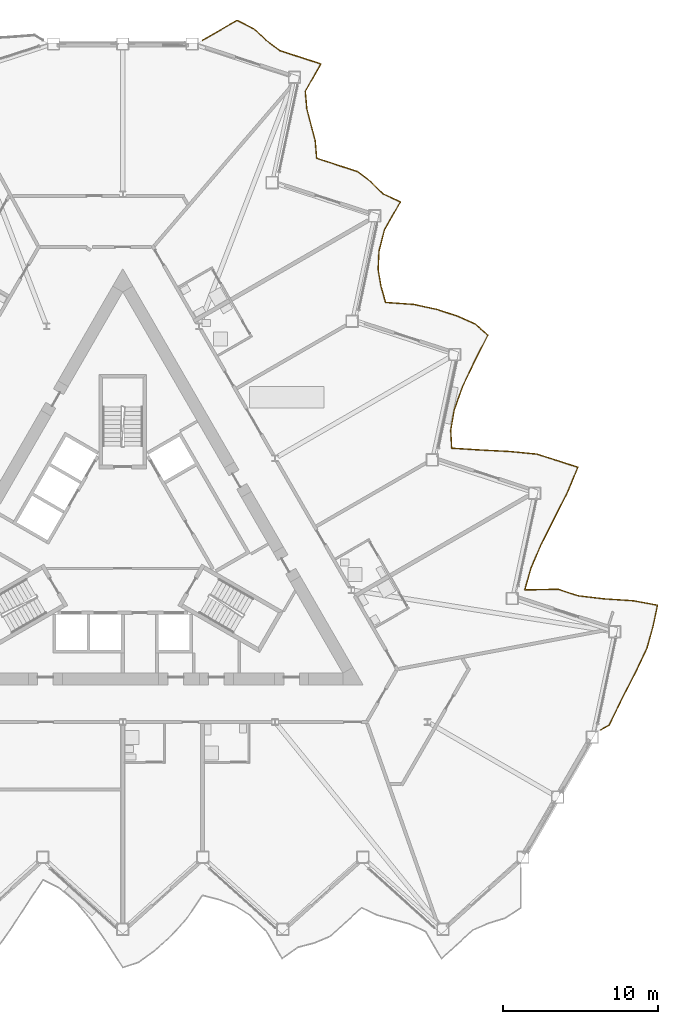
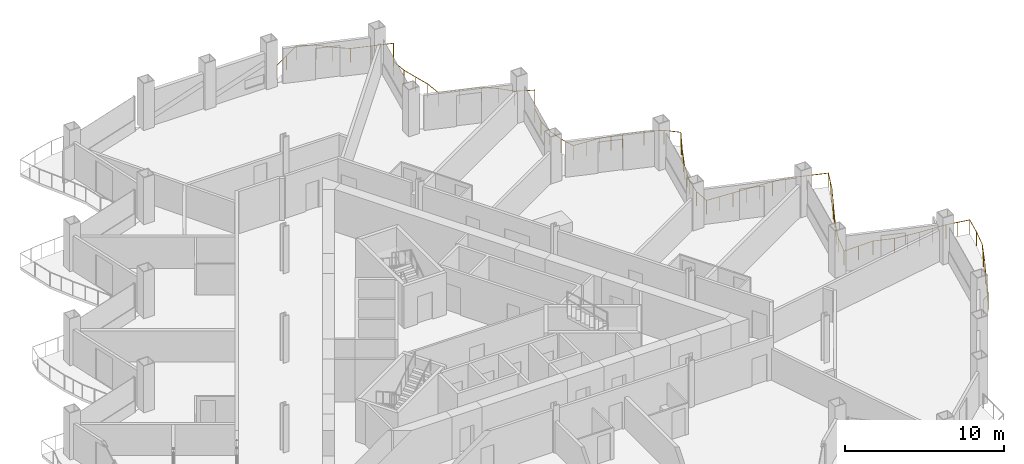
# One storey, part 20 of 22: 1 railing.
"""IFC4 building model written with IfcOpenShell, lengths in metres."""

from ifc_helpers import new_model, si_unit, direction, frame, origin, origin_2d, place, context, subcontext, project, spatial, circle, extrude, material, type_object, element, save


model = new_model("IFC4")

# Units and contexts
model_context = context("Model", 3, precision=1e-05, world=origin(), true_north=direction((0.0, 1.0)))
body_context = subcontext(model_context, "Body", "Model", "MODEL_VIEW")
ifc_project = project(units=[si_unit("LENGTHUNIT", "METRE"), si_unit("AREAUNIT", "SQUARE_METRE"), si_unit("VOLUMEUNIT", "CUBIC_METRE"), si_unit("PLANEANGLEUNIT", "RADIAN"), si_unit("MASSUNIT", "GRAM", prefix="KILO")], contexts=[model_context])

# Site, building, storey
site_placement = place(None, origin())
site = spatial("IfcSite", under=ifc_project, at=site_placement, CompositionType="ELEMENT")
building_placement = place(site_placement, origin())
building = spatial("IfcBuilding", under=site, at=building_placement, Name="Cormorant Prow Tower", CompositionType="ELEMENT")
storey_placement = place(building_placement, frame((0.0, 0.0, 194.39990234375)))
storey = spatial("IfcBuildingStorey", under=building, at=storey_placement, Name="L42", CompositionType="ELEMENT", Elevation=194.39990234375)

# Railing
ifc_material = material(Name="Aluminium 6063-T6", Category="aluminium")
railing_type = type_object("IfcRailingType", Name="Balcony guard 1100", PredefinedType="GUARDRAIL", material=ifc_material)
railing_placement = place(storey_placement, frame((30.84130859375, -11.861083984375, 0.0)))
element("IfcRailing", 1, at=railing_placement, inside=storey, type_object=railing_type, Name="Balcony guard ENE", PredefinedType="GUARDRAIL", context=body_context, shape_type="SweptSolid", body=[
    extrude(circle(Radius=0.02392578125, at=origin_2d()), frame((0.0, 0.0, 1.076171875), z_axis=(0.866038622153, 0.499977104415, 0.0), x_axis=(-0.499977104415, 0.866038622153, 0.0)), (0.0, 0.0, 1.0), 0.63623046875),
    extrude(circle(Radius=0.02392578125, at=origin_2d()), frame((0.551025390625, 0.318115234375, 1.076171875), z_axis=(0.434386355726, 0.900726647746, 0.0), x_axis=(-0.900726647746, 0.434386355726, 0.0)), (0.0, 0.0, 1.0), 1.826171875),
    extrude(circle(Radius=0.02392578125, at=origin_2d()), frame((1.34423828125, 1.962890625, 1.076171875), z_axis=(0.457321852197, 0.889301255764, 0.0), x_axis=(-0.889301255764, 0.457321852197, 0.0)), (0.0, 0.0, 1.0), 1.89794921875),
    extrude(circle(Radius=0.02392578125, at=origin_2d()), frame((2.212158203125, 3.650634765625, 1.076171875), z_axis=(0.428712717597, 0.903440870102, 0.0), x_axis=(-0.903440870102, 0.428712717597, 0.0)), (0.0, 0.0, 1.0), 1.809326171875),
    extrude(circle(Radius=0.02392578125, at=origin_2d()), frame((2.98779296875, 5.28515625, 1.076171875), z_axis=(0.265319371421, 0.964160583694, 0.0), x_axis=(-0.964160583694, 0.265319371421, 0.0)), (0.0, 0.0, 1.0), 1.463134765625),
    extrude(circle(Radius=0.02392578125, at=origin_2d()), frame((3.3759765625, 6.69580078125, 1.076171875), z_axis=(0.207780635717, 0.978175448179, 0.0), x_axis=(-0.978175448179, 0.207780635717, 0.0)), (0.0, 0.0, 1.0), 1.383056640625),
    extrude(circle(Radius=0.02392578125, at=origin_2d()), frame((3.663330078125, 8.048583984375, 1.076171875), z_axis=(-0.983041421692, 0.183383650408, 0.0), x_axis=(-0.183383650408, -0.983041421692, 0.0)), (0.0, 0.0, 1.0), 1.580322265625),
    extrude(circle(Radius=0.02392578125, at=origin_2d()), frame((2.10986328125, 8.33837890625, 1.076171875), z_axis=(-0.9979681925, 0.063714101724, 0.0), x_axis=(-0.063714101724, -0.9979681925, 0.0)), (0.0, 0.0, 1.0), 1.8544921875),
    extrude(circle(Radius=0.02392578125, at=origin_2d()), frame((0.259033203125, 8.45654296875, 1.076171875), z_axis=(-0.993301704928, 0.11554965594, 0.0), x_axis=(-0.11554965594, -0.993301704928, 0.0)), (0.0, 0.0, 1.0), 1.721923828125),
    extrude(circle(Radius=0.02392578125, at=origin_2d()), frame((-1.451416015625, 8.655517578125, 1.076171875), z_axis=(-0.951022391845, 0.309121998909, 0.0), x_axis=(-0.309121998909, -0.951022391845, 0.0)), (0.0, 0.0, 1.0), 1.3828125),
    extrude(circle(Radius=0.02392578125, at=origin_2d()), frame((-2.7666015625, 9.0830078125, 1.076171875), z_axis=(-0.999764166606, -0.021716610456, 0.0), x_axis=(0.021716610456, -0.999764166606, 0.0)), (0.0, 0.0, 1.0), 2.135986328125),
    extrude(circle(Radius=0.02392578125, at=origin_2d()), frame((-4.902099609375, 9.03662109375, 1.076171875), z_axis=(0.274284638474, 0.961648551758, 0.0), x_axis=(-0.961648551758, 0.274284638474, 0.0)), (0.0, 0.0, 1.0), 1.4775390625),
    extrude(circle(Radius=0.02392578125, at=origin_2d()), frame((-4.496826171875, 10.45751953125, 1.076171875), z_axis=(0.396365386796, 0.918092849417, 0.0), x_axis=(-0.918092849417, 0.396365386796, 0.0)), (0.0, 0.0, 1.0), 1.7216796875),
    extrude(circle(Radius=0.02392578125, at=origin_2d()), frame((-3.814453125, 12.0380859375, 1.076171875), z_axis=(0.45064577114, 0.892702855912, 0.0), x_axis=(-0.892702855912, 0.45064577114, 0.0)), (0.0, 0.0, 1.0), 1.876220703125),
    extrude(circle(Radius=0.02392578125, at=origin_2d()), frame((-2.968994140625, 13.712890625, 1.076171875), z_axis=(0.451522217854, 0.89225987626, 0.0), x_axis=(-0.89225987626, 0.451522217854, 0.0)), (0.0, 0.0, 1.0), 1.87890625),
    extrude(circle(Radius=0.02392578125, at=origin_2d()), frame((-2.12060546875, 15.389404296875, 1.076171875), z_axis=(0.382488079888, 0.923960425962, 0.0), x_axis=(-0.923960425962, 0.382488079888, 0.0)), (0.0, 0.0, 1.0), 1.687744140625),
    extrude(circle(Radius=0.02392578125, at=origin_2d()), frame((-1.47509765625, 16.94873046875, 1.076171875), z_axis=(-0.951074280921, 0.308962315131, 0.0), x_axis=(-0.308962315131, -0.951074280921, 0.0)), (0.0, 0.0, 1.0), 1.3828125),
    extrude(circle(Radius=0.02392578125, at=origin_2d()), frame((-2.790283203125, 17.3759765625, 1.076171875), z_axis=(-0.953178854012, 0.302407129981, 0.0), x_axis=(-0.302407129981, -0.953178854012, 0.0)), (0.0, 0.0, 1.0), 1.391845703125),
    extrude(circle(Radius=0.02392578125, at=origin_2d()), frame((-4.116943359375, 17.796875, 1.076171875), z_axis=(-0.995222994307, 0.097627821868, 0.0), x_axis=(-0.097627821868, -0.995222994307, 0.0)), (0.0, 0.0, 1.0), 1.765625),
    extrude(circle(Radius=0.02392578125, at=origin_2d()), frame((-5.8740234375, 17.96923828125, 1.076171875), z_axis=(-0.998698310981, 0.051006701944, 0.0), x_axis=(-0.051006701944, -0.998698310981, 0.0)), (0.0, 0.0, 1.0), 1.890625),
    extrude(circle(Radius=0.02392578125, at=origin_2d()), frame((-7.76220703125, 18.065673828125, 1.076171875), z_axis=(-0.998050532941, 0.062411006207, 0.0), x_axis=(-0.062411006207, -0.998050532941, 0.0)), (0.0, 0.0, 1.0), 1.858154296875),
    extrude(circle(Radius=0.02392578125, at=origin_2d()), frame((-9.61669921875, 18.181640625, 1.076171875), z_axis=(-0.054671928669, 0.998504371656, 0.0), x_axis=(-0.998504371656, -0.054671928669, 0.0)), (0.0, 0.0, 1.0), 1.152099609375),
    extrude(circle(Radius=0.02392578125, at=origin_2d()), frame((-9.6796875, 19.33203125, 1.076171875), z_axis=(0.169491002554, 0.985531734676, 0.0), x_axis=(-0.985531734676, 0.169491002554, 0.0)), (0.0, 0.0, 1.0), 1.336669921875),
    extrude(circle(Radius=0.02392578125, at=origin_2d()), frame((-9.453125, 20.6494140625, 1.076171875), z_axis=(0.336365626232, 0.941731472071, 0.0), x_axis=(-0.941731472071, 0.336365626232, 0.0)), (0.0, 0.0, 1.0), 1.58740234375),
    extrude(circle(Radius=0.02392578125, at=origin_2d()), frame((-8.919189453125, 22.144287109375, 1.076171875), z_axis=(0.426800368359, 0.90434586612, 0.0), x_axis=(-0.90434586612, 0.426800368359, 0.0)), (0.0, 0.0, 1.0), 1.80419921875),
    extrude(circle(Radius=0.02392578125, at=origin_2d()), frame((-8.149169921875, 23.77587890625, 1.076171875), z_axis=(0.45727242389, 0.889326672461, 0.0), x_axis=(-0.889326672461, 0.45727242389, 0.0)), (0.0, 0.0, 1.0), 1.8974609375),
    extrude(circle(Radius=0.02392578125, at=origin_2d()), frame((-7.281494140625, 25.46337890625, 1.076171875), z_axis=(-0.74423652766, 0.667916155588, 0.0), x_axis=(-0.667916155588, -0.74423652766, 0.0)), (0.0, 0.0, 1.0), 1.081298828125),
    extrude(circle(Radius=0.02392578125, at=origin_2d()), frame((-8.086181640625, 26.185546875, 1.076171875), z_axis=(-0.912808812193, 0.408387159914, 0.0), x_axis=(-0.408387159914, -0.912808812193, 0.0)), (0.0, 0.0, 1.0), 1.2685546875),
    extrude(circle(Radius=0.02392578125, at=origin_2d()), frame((-9.244140625, 26.70361328125, 1.076171875), z_axis=(-0.951022391845, 0.309121998909, 0.0), x_axis=(-0.309121998909, -0.951022391845, 0.0)), (0.0, 0.0, 1.0), 1.3828125),
    extrude(circle(Radius=0.02392578125, at=origin_2d()), frame((-10.559326171875, 27.131103515625, 1.076171875), z_axis=(-0.976963635806, 0.21340584414, 0.0), x_axis=(-0.21340584414, -0.976963635806, 0.0)), (0.0, 0.0, 1.0), 1.526123046875),
    extrude(circle(Radius=0.02392578125, at=origin_2d()), frame((-12.05029296875, 27.456787109375, 1.076171875), z_axis=(-0.997534369875, 0.070179633217, 0.0), x_axis=(-0.070179633217, -0.997534369875, 0.0)), (0.0, 0.0, 1.0), 1.8369140625),
    extrude(circle(Radius=0.02392578125, at=origin_2d()), frame((-13.882568359375, 27.585693359375, 1.076171875), z_axis=(-0.275421186292, 0.961323655249, 0.0), x_axis=(-0.961323655249, -0.275421186292, 0.0)), (0.0, 0.0, 1.0), 1.059326171875),
    extrude(circle(Radius=0.02392578125, at=origin_2d()), frame((-14.17431640625, 28.60400390625, 1.076171875), z_axis=(-0.171303521902, 0.9852183024, 0.0), x_axis=(-0.9852183024, -0.171303521902, 0.0)), (0.0, 0.0, 1.0), 1.094482421875),
    extrude(circle(Radius=0.02392578125, at=origin_2d()), frame((-14.36181640625, 29.682373046875, 1.076171875), z_axis=(0.044063016399, 0.999028753633, 0.0), x_axis=(-0.999028753633, 0.044063016399, 0.0)), (0.0, 0.0, 1.0), 1.218994140625),
    extrude(circle(Radius=0.02392578125, at=origin_2d()), frame((-14.30810546875, 30.900146484375, 1.076171875), z_axis=(0.251091426496, 0.967963375103, 0.0), x_axis=(-0.967963375103, 0.251091426496, 0.0)), (0.0, 0.0, 1.0), 1.44189453125),
    extrude(circle(Radius=0.02392578125, at=origin_2d()), frame((-13.946044921875, 32.2958984375, 1.076171875), z_axis=(0.499300137571, 0.866429092668, 0.0), x_axis=(-0.866429092668, 0.499300137571, 0.0)), (0.0, 0.0, 1.0), 2.05224609375),
    extrude(circle(Radius=0.02392578125, at=origin_2d()), frame((-12.92138671875, 34.073974609375, 1.076171875), z_axis=(-0.909342661142, 0.416047983563, 0.0), x_axis=(-0.416047983563, -0.909342661142, 0.0)), (0.0, 0.0, 1.0), 1.260986328125),
    extrude(circle(Radius=0.02392578125, at=origin_2d()), frame((-14.068115234375, 34.5986328125, 1.076171875), z_axis=(-0.70133476746, 0.712832058729, 0.0), x_axis=(-0.712832058729, -0.70133476746, 0.0)), (0.0, 0.0, 1.0), 1.061767578125),
    extrude(circle(Radius=0.02392578125, at=origin_2d()), frame((-14.812744140625, 35.35546875, 1.076171875), z_axis=(-0.794787042108, 0.606888422774, 0.0), x_axis=(-0.606888422774, -0.794787042108, 0.0)), (0.0, 0.0, 1.0), 1.113525390625),
    extrude(circle(Radius=0.02392578125, at=origin_2d()), frame((-15.69775390625, 36.03125, 1.076171875), z_axis=(-0.951091129726, 0.308910444881, 0.0), x_axis=(-0.308910444881, -0.951091129726, 0.0)), (0.0, 0.0, 1.0), 1.383056640625),
    extrude(circle(Radius=0.02392578125, at=origin_2d()), frame((-17.01318359375, 36.45849609375, 1.076171875), z_axis=(-0.951022391845, 0.309121998909, 0.0), x_axis=(-0.309121998909, -0.951022391845, 0.0)), (0.0, 0.0, 1.0), 1.3828125),
    extrude(circle(Radius=0.02392578125, at=origin_2d()), frame((-18.328369140625, 36.885986328125, 1.076171875), z_axis=(-0.08139248574, 0.996682127494, 0.0), x_axis=(-0.996682127494, -0.08139248574, 0.0)), (0.0, 0.0, 1.0), 1.13671875),
    extrude(circle(Radius=0.02392578125, at=origin_2d()), frame((-18.4208984375, 38.01904296875, 1.076171875), z_axis=(-0.260105197921, 0.965580284603, 0.0), x_axis=(-0.965580284603, -0.260105197921, 0.0)), (0.0, 0.0, 1.0), 1.0634765625),
    extrude(circle(Radius=0.02392578125, at=origin_2d()), frame((-18.697509765625, 39.0458984375, 1.076171875), z_axis=(-0.249905704355, 0.968270178685, 0.0), x_axis=(-0.968270178685, -0.249905704355, 0.0)), (0.0, 0.0, 1.0), 1.06689453125),
    extrude(circle(Radius=0.02392578125, at=origin_2d()), frame((-18.964111328125, 40.078857421875, 1.076171875), z_axis=(-0.08562691727, 0.99632727105, 0.0), x_axis=(-0.99632727105, -0.08562691727, 0.0)), (0.0, 0.0, 1.0), 1.134765625),
    extrude(circle(Radius=0.02392578125, at=origin_2d()), frame((-19.061279296875, 41.20947265625, 1.076171875), z_axis=(0.493519437528, 0.869734766916, 0.0), x_axis=(-0.869734766916, 0.493519437528, 0.0)), (0.0, 0.0, 1.0), 2.029296875),
    extrude(circle(Radius=0.02392578125, at=origin_2d()), frame((-18.059814453125, 42.974365234375, 1.076171875), z_axis=(-0.951074280921, 0.308962315131, 0.0), x_axis=(-0.308962315131, -0.951074280921, 0.0)), (0.0, 0.0, 1.0), 1.3828125),
    extrude(circle(Radius=0.02392578125, at=origin_2d()), frame((-19.375, 43.401611328125, 1.076171875), z_axis=(-0.951039257151, 0.309070107511, 0.0), x_axis=(-0.309070107511, -0.951039257151, 0.0)), (0.0, 0.0, 1.0), 1.383056640625),
    extrude(circle(Radius=0.02392578125, at=origin_2d()), frame((-20.6904296875, 43.8291015625, 1.076171875), z_axis=(-0.800235879929, 0.599685364566, 0.0), x_axis=(-0.599685364566, -0.800235879929, 0.0)), (0.0, 0.0, 1.0), 1.117431640625),
    extrude(circle(Radius=0.02392578125, at=origin_2d()), frame((-21.584716796875, 44.499267578125, 1.076171875), z_axis=(-0.730889032015, 0.682496317119, 0.0), x_axis=(-0.682496317119, -0.730889032015, 0.0)), (0.0, 0.0, 1.0), 1.074462890625),
    extrude(circle(Radius=0.02392578125, at=origin_2d()), frame((-22.3701171875, 45.232666015625, 1.076171875), z_axis=(-0.892831454657, 0.450390934161, 0.0), x_axis=(-0.450390934161, -0.892831454657, 0.0)), (0.0, 0.0, 1.0), 1.228271484375),
    extrude(circle(Radius=0.02392578125, at=origin_2d()), frame((-23.466796875, 45.785888671875, 1.076171875), z_axis=(-0.866054294558, -0.499949956374, 0.0), x_axis=(0.499949956374, -0.866054294558, 0.0)), (0.0, 0.0, 1.0), 2.570068359375),
    extrude(circle(Radius=0.02099609375, at=origin_2d()), origin(), (0.0, 0.0, 1.0), 1.052001953125),
    extrude(circle(Radius=0.02099609375, at=origin_2d()), frame((0.551025390625, 0.318115234375, 0.0)), (0.0, 0.0, 1.0), 1.052001953125),
    extrude(circle(Radius=0.02099609375, at=origin_2d()), frame((0.94775390625, 1.140625, 0.0)), (0.0, 0.0, 1.0), 1.052001953125),
    extrude(circle(Radius=0.02099609375, at=origin_2d()), frame((1.34423828125, 1.962890625, 0.0)), (0.0, 0.0, 1.0), 1.052001953125),
    extrude(circle(Radius=0.02099609375, at=origin_2d()), frame((1.7783203125, 2.806640625, 0.0)), (0.0, 0.0, 1.0), 1.052001953125),
    extrude(circle(Radius=0.02099609375, at=origin_2d()), frame((2.212158203125, 3.650634765625, 0.0)), (0.0, 0.0, 1.0), 1.052001953125),
    extrude(circle(Radius=0.02099609375, at=origin_2d()), frame((2.60009765625, 4.4677734375, 0.0)), (0.0, 0.0, 1.0), 1.052001953125),
    extrude(circle(Radius=0.02099609375, at=origin_2d()), frame((2.98779296875, 5.28515625, 0.0)), (0.0, 0.0, 1.0), 1.052001953125),
    extrude(circle(Radius=0.02099609375, at=origin_2d()), frame((3.3759765625, 6.69580078125, 0.0)), (0.0, 0.0, 1.0), 1.052001953125),
    extrude(circle(Radius=0.02099609375, at=origin_2d()), frame((3.663330078125, 8.048583984375, 0.0)), (0.0, 0.0, 1.0), 1.052001953125),
    extrude(circle(Radius=0.02099609375, at=origin_2d()), frame((2.88671875, 8.193359375, 0.0)), (0.0, 0.0, 1.0), 1.052001953125),
    extrude(circle(Radius=0.02099609375, at=origin_2d()), frame((2.10986328125, 8.33837890625, 0.0)), (0.0, 0.0, 1.0), 1.052001953125),
    extrude(circle(Radius=0.02099609375, at=origin_2d()), frame((1.1845703125, 8.3974609375, 0.0)), (0.0, 0.0, 1.0), 1.052001953125),
    extrude(circle(Radius=0.02099609375, at=origin_2d()), frame((0.259033203125, 8.45654296875, 0.0)), (0.0, 0.0, 1.0), 1.052001953125),
    extrude(circle(Radius=0.02099609375, at=origin_2d()), frame((-0.59619140625, 8.55615234375, 0.0)), (0.0, 0.0, 1.0), 1.052001953125),
    extrude(circle(Radius=0.02099609375, at=origin_2d()), frame((-1.451416015625, 8.655517578125, 0.0)), (0.0, 0.0, 1.0), 1.052001953125),
    extrude(circle(Radius=0.02099609375, at=origin_2d()), frame((-2.7666015625, 9.0830078125, 0.0)), (0.0, 0.0, 1.0), 1.052001953125),
    extrude(circle(Radius=0.02099609375, at=origin_2d()), frame((-3.83447265625, 9.059814453125, 0.0)), (0.0, 0.0, 1.0), 1.052001953125),
    extrude(circle(Radius=0.02099609375, at=origin_2d()), frame((-4.902099609375, 9.03662109375, 0.0)), (0.0, 0.0, 1.0), 1.052001953125),
    extrude(circle(Radius=0.02099609375, at=origin_2d()), frame((-4.496826171875, 10.45751953125, 0.0)), (0.0, 0.0, 1.0), 1.052001953125),
    extrude(circle(Radius=0.02099609375, at=origin_2d()), frame((-4.15576171875, 11.247802734375, 0.0)), (0.0, 0.0, 1.0), 1.052001953125),
    extrude(circle(Radius=0.02099609375, at=origin_2d()), frame((-3.814453125, 12.0380859375, 0.0)), (0.0, 0.0, 1.0), 1.052001953125),
    extrude(circle(Radius=0.02099609375, at=origin_2d()), frame((-3.3916015625, 12.87548828125, 0.0)), (0.0, 0.0, 1.0), 1.052001953125),
    extrude(circle(Radius=0.02099609375, at=origin_2d()), frame((-2.968994140625, 13.712890625, 0.0)), (0.0, 0.0, 1.0), 1.052001953125),
    extrude(circle(Radius=0.02099609375, at=origin_2d()), frame((-2.544921875, 14.55126953125, 0.0)), (0.0, 0.0, 1.0), 1.052001953125),
    extrude(circle(Radius=0.02099609375, at=origin_2d()), frame((-2.12060546875, 15.389404296875, 0.0)), (0.0, 0.0, 1.0), 1.052001953125),
    extrude(circle(Radius=0.02099609375, at=origin_2d()), frame((-1.7978515625, 16.1689453125, 0.0)), (0.0, 0.0, 1.0), 1.052001953125),
    extrude(circle(Radius=0.02099609375, at=origin_2d()), frame((-1.47509765625, 16.94873046875, 0.0)), (0.0, 0.0, 1.0), 1.052001953125),
    extrude(circle(Radius=0.02099609375, at=origin_2d()), frame((-2.790283203125, 17.3759765625, 0.0)), (0.0, 0.0, 1.0), 1.052001953125),
    extrude(circle(Radius=0.02099609375, at=origin_2d()), frame((-4.116943359375, 17.796875, 0.0)), (0.0, 0.0, 1.0), 1.052001953125),
    extrude(circle(Radius=0.02099609375, at=origin_2d()), frame((-4.99560546875, 17.883056640625, 0.0)), (0.0, 0.0, 1.0), 1.052001953125),
    extrude(circle(Radius=0.02099609375, at=origin_2d()), frame((-5.8740234375, 17.96923828125, 0.0)), (0.0, 0.0, 1.0), 1.052001953125),
    extrude(circle(Radius=0.02099609375, at=origin_2d()), frame((-6.818115234375, 18.017578125, 0.0)), (0.0, 0.0, 1.0), 1.052001953125),
    extrude(circle(Radius=0.02099609375, at=origin_2d()), frame((-7.76220703125, 18.065673828125, 0.0)), (0.0, 0.0, 1.0), 1.052001953125),
    extrude(circle(Radius=0.02099609375, at=origin_2d()), frame((-8.689453125, 18.12353515625, 0.0)), (0.0, 0.0, 1.0), 1.052001953125),
    extrude(circle(Radius=0.02099609375, at=origin_2d()), frame((-9.61669921875, 18.181640625, 0.0)), (0.0, 0.0, 1.0), 1.052001953125),
    extrude(circle(Radius=0.02099609375, at=origin_2d()), frame((-9.6796875, 19.33203125, 0.0)), (0.0, 0.0, 1.0), 1.052001953125),
    extrude(circle(Radius=0.02099609375, at=origin_2d()), frame((-9.453125, 20.6494140625, 0.0)), (0.0, 0.0, 1.0), 1.052001953125),
    extrude(circle(Radius=0.02099609375, at=origin_2d()), frame((-9.18603515625, 21.39697265625, 0.0)), (0.0, 0.0, 1.0), 1.052001953125),
    extrude(circle(Radius=0.02099609375, at=origin_2d()), frame((-8.919189453125, 22.144287109375, 0.0)), (0.0, 0.0, 1.0), 1.052001953125),
    extrude(circle(Radius=0.02099609375, at=origin_2d()), frame((-8.5341796875, 22.9599609375, 0.0)), (0.0, 0.0, 1.0), 1.052001953125),
    extrude(circle(Radius=0.02099609375, at=origin_2d()), frame((-8.149169921875, 23.77587890625, 0.0)), (0.0, 0.0, 1.0), 1.052001953125),
    extrude(circle(Radius=0.02099609375, at=origin_2d()), frame((-7.71533203125, 24.61962890625, 0.0)), (0.0, 0.0, 1.0), 1.052001953125),
    extrude(circle(Radius=0.02099609375, at=origin_2d()), frame((-7.281494140625, 25.46337890625, 0.0)), (0.0, 0.0, 1.0), 1.052001953125),
    extrude(circle(Radius=0.02099609375, at=origin_2d()), frame((-8.086181640625, 26.185546875, 0.0)), (0.0, 0.0, 1.0), 1.052001953125),
    extrude(circle(Radius=0.02099609375, at=origin_2d()), frame((-9.244140625, 26.70361328125, 0.0)), (0.0, 0.0, 1.0), 1.052001953125),
    extrude(circle(Radius=0.02099609375, at=origin_2d()), frame((-10.559326171875, 27.131103515625, 0.0)), (0.0, 0.0, 1.0), 1.052001953125),
    extrude(circle(Radius=0.02099609375, at=origin_2d()), frame((-11.3046875, 27.2939453125, 0.0)), (0.0, 0.0, 1.0), 1.052001953125),
    extrude(circle(Radius=0.02099609375, at=origin_2d()), frame((-12.05029296875, 27.456787109375, 0.0)), (0.0, 0.0, 1.0), 1.052001953125),
    extrude(circle(Radius=0.02099609375, at=origin_2d()), frame((-12.96630859375, 27.521240234375, 0.0)), (0.0, 0.0, 1.0), 1.052001953125),
    extrude(circle(Radius=0.02099609375, at=origin_2d()), frame((-13.882568359375, 27.585693359375, 0.0)), (0.0, 0.0, 1.0), 1.052001953125),
    extrude(circle(Radius=0.02099609375, at=origin_2d()), frame((-14.17431640625, 28.60400390625, 0.0)), (0.0, 0.0, 1.0), 1.052001953125),
    extrude(circle(Radius=0.02099609375, at=origin_2d()), frame((-14.36181640625, 29.682373046875, 0.0)), (0.0, 0.0, 1.0), 1.052001953125),
    extrude(circle(Radius=0.02099609375, at=origin_2d()), frame((-14.30810546875, 30.900146484375, 0.0)), (0.0, 0.0, 1.0), 1.052001953125),
    extrude(circle(Radius=0.02099609375, at=origin_2d()), frame((-13.946044921875, 32.2958984375, 0.0)), (0.0, 0.0, 1.0), 1.052001953125),
    extrude(circle(Radius=0.02099609375, at=origin_2d()), frame((-13.43359375, 33.18505859375, 0.0)), (0.0, 0.0, 1.0), 1.052001953125),
    extrude(circle(Radius=0.02099609375, at=origin_2d()), frame((-12.92138671875, 34.073974609375, 0.0)), (0.0, 0.0, 1.0), 1.052001953125),
    extrude(circle(Radius=0.02099609375, at=origin_2d()), frame((-14.068115234375, 34.5986328125, 0.0)), (0.0, 0.0, 1.0), 1.052001953125),
    extrude(circle(Radius=0.02099609375, at=origin_2d()), frame((-14.812744140625, 35.35546875, 0.0)), (0.0, 0.0, 1.0), 1.052001953125),
    extrude(circle(Radius=0.02099609375, at=origin_2d()), frame((-15.69775390625, 36.03125, 0.0)), (0.0, 0.0, 1.0), 1.052001953125),
    extrude(circle(Radius=0.02099609375, at=origin_2d()), frame((-17.01318359375, 36.45849609375, 0.0)), (0.0, 0.0, 1.0), 1.052001953125),
    extrude(circle(Radius=0.02099609375, at=origin_2d()), frame((-18.328369140625, 36.885986328125, 0.0)), (0.0, 0.0, 1.0), 1.052001953125),
    extrude(circle(Radius=0.02099609375, at=origin_2d()), frame((-18.4208984375, 38.01904296875, 0.0)), (0.0, 0.0, 1.0), 1.052001953125),
    extrude(circle(Radius=0.02099609375, at=origin_2d()), frame((-18.697509765625, 39.0458984375, 0.0)), (0.0, 0.0, 1.0), 1.052001953125),
    extrude(circle(Radius=0.02099609375, at=origin_2d()), frame((-18.964111328125, 40.078857421875, 0.0)), (0.0, 0.0, 1.0), 1.052001953125),
    extrude(circle(Radius=0.02099609375, at=origin_2d()), frame((-19.061279296875, 41.20947265625, 0.0)), (0.0, 0.0, 1.0), 1.052001953125),
    extrude(circle(Radius=0.02099609375, at=origin_2d()), frame((-18.560546875, 42.091796875, 0.0)), (0.0, 0.0, 1.0), 1.052001953125),
    extrude(circle(Radius=0.02099609375, at=origin_2d()), frame((-18.059814453125, 42.974365234375, 0.0)), (0.0, 0.0, 1.0), 1.052001953125),
    extrude(circle(Radius=0.02099609375, at=origin_2d()), frame((-19.375, 43.401611328125, 0.0)), (0.0, 0.0, 1.0), 1.052001953125),
    extrude(circle(Radius=0.02099609375, at=origin_2d()), frame((-20.6904296875, 43.8291015625, 0.0)), (0.0, 0.0, 1.0), 1.052001953125),
    extrude(circle(Radius=0.02099609375, at=origin_2d()), frame((-21.584716796875, 44.499267578125, 0.0)), (0.0, 0.0, 1.0), 1.052001953125),
    extrude(circle(Radius=0.02099609375, at=origin_2d()), frame((-22.3701171875, 45.232666015625, 0.0)), (0.0, 0.0, 1.0), 1.052001953125),
    extrude(circle(Radius=0.02099609375, at=origin_2d()), frame((-23.466796875, 45.785888671875, 0.0)), (0.0, 0.0, 1.0), 1.052001953125),
    extrude(circle(Radius=0.02099609375, at=origin_2d()), frame((-24.57958984375, 45.1435546875, 0.0)), (0.0, 0.0, 1.0), 1.052001953125),
    extrude(circle(Radius=0.02099609375, at=origin_2d()), frame((-25.692626953125, 44.5009765625, 0.0)), (0.0, 0.0, 1.0), 1.052001953125),
])

save(model, "model.ifc")
